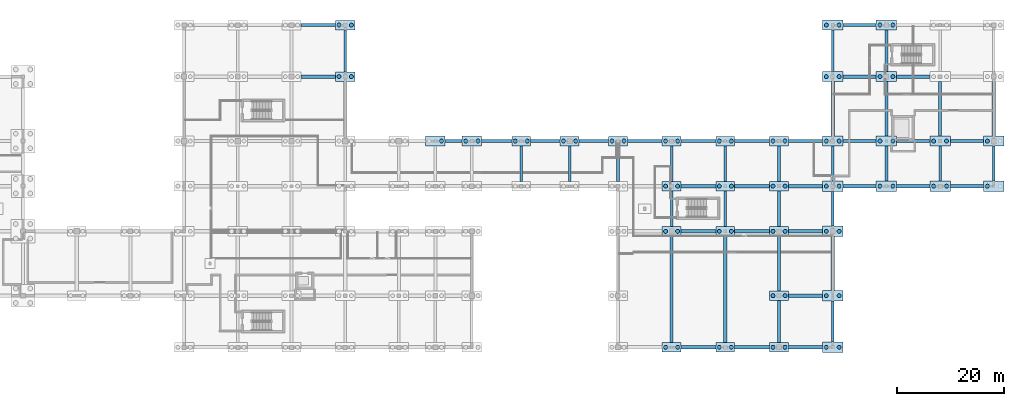
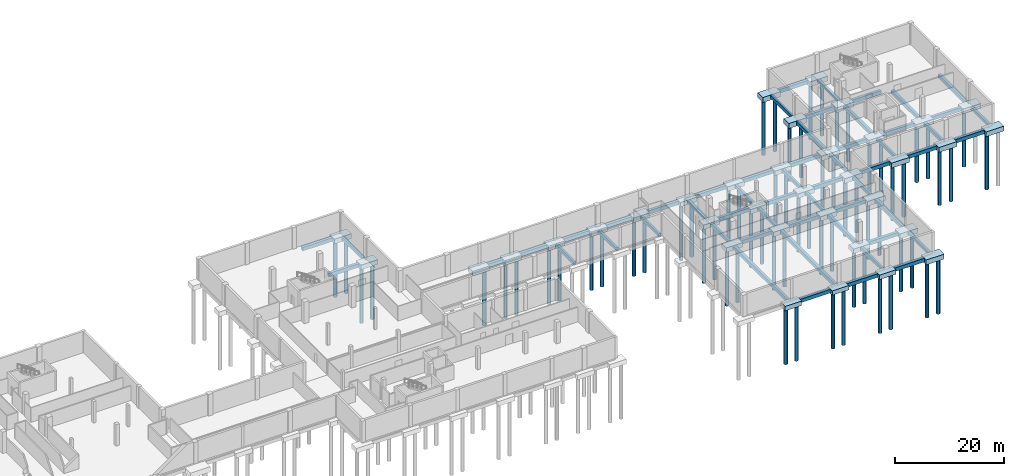
# One storey, part 6 of 28: 91 footings, 67 piles.
"""IFC4 building model written with IfcOpenShell, lengths in metres."""

import ifcopenshell
import ifcopenshell.guid

model = None  # the IFC model being written
_history = None  # IfcOwnerHistory: only IFC2X3 demands one
_inside = {}  # id of a spatial element -> (the spatial element, [elements in it])
_under = {}  # id of a project, library or spatial element -> (it, [spatial elements below it])
_declared = {}  # id of a project -> (the project, [libraries it declares])
_typed = {}  # id of a type object -> (the type object, [elements of that type])
_made_of = {}  # id of a material, layer set ... -> (it, [elements and type objects made of it])


def new_model(schema):
    """Start an empty IFC model of exactly this schema.

    Asked for "IFC4X3", IfcOpenShell would pick the latest addendum, in which some entities
    have other attributes; the version numbers below select the first issue.
    IFC2X3 requires an IfcOwnerHistory on every rooted entity: one is made here for all.
    """
    global model, _history
    if schema == "IFC4X3":
        model = ifcopenshell.file(schema_version=(4, 3, 0, 0))
    else:
        model = ifcopenshell.file(schema=schema)
    _inside.clear()
    _under.clear()
    _declared.clear()
    _typed.clear()
    _made_of.clear()
    _history = None
    if model.schema == "IFC2X3":
        org = make("IfcOrganization", Name="unknown")
        user = make(
            "IfcPersonAndOrganization",
            ThePerson=make("IfcPerson", FamilyName="unknown"),
            TheOrganization=org,
        )
        app = make(
            "IfcApplication",
            ApplicationDeveloper=org,
            Version="unknown",
            ApplicationFullName="unknown",
            ApplicationIdentifier="unknown",
        )
        _history = make(
            "IfcOwnerHistory",
            OwningUser=user,
            OwningApplication=app,
            ChangeAction="ADDED",
            CreationDate=0,
        )
    return model


def make(cls, **values):
    """One entity of the class cls with the attributes given. An attribute that is None is left unset."""
    return model.create_entity(
        cls, **{name: value for name, value in values.items() if value is not None}
    )


def rooted(cls, **values):
    """An entity with a GlobalId (a new one), such as an element, a storey or a relation."""
    return make(cls, GlobalId=ifcopenshell.guid.new(), OwnerHistory=_history, **values)


def si_unit(unit_type, name, prefix=None):
    """IfcSIUnit, for example si_unit("LENGTHUNIT", "METRE", prefix="MILLI")."""
    return make("IfcSIUnit", UnitType=unit_type, Prefix=prefix, Name=name)


def assignment(units):
    """IfcUnitAssignment: the units of a project."""
    return None if units is None else make("IfcUnitAssignment", Units=units)


def point(xyz):
    """IfcCartesianPoint."""
    return None if xyz is None else make("IfcCartesianPoint", Coordinates=xyz)


def direction(xyz):
    """IfcDirection."""
    return None if xyz is None else make("IfcDirection", DirectionRatios=xyz)


def frame(location, z_axis=None, x_axis=None):
    """IfcAxis2Placement3D, a coordinate frame: its origin and axes. An axis left out is left unset."""
    return make(
        "IfcAxis2Placement3D",
        Location=point(location),
        Axis=direction(z_axis),
        RefDirection=direction(x_axis),
    )


def frame_2d(location, x_axis=None):
    """IfcAxis2Placement2D, a coordinate frame in the plane: its origin and x axis."""
    return make(
        "IfcAxis2Placement2D", Location=point(location), RefDirection=direction(x_axis)
    )


def origin():
    """The frame at (0, 0, 0) with its axes left unset."""
    return frame((0.0, 0.0, 0.0))


def origin_2d():
    """The frame at (0, 0) in the plane with its x axis left unset."""
    return frame_2d((0.0, 0.0))


def place(relative_to, where):
    """IfcLocalPlacement: puts the frame where relative to a parent placement (None: the world)."""
    return make(
        "IfcLocalPlacement", PlacementRelTo=relative_to, RelativePlacement=where
    )


def context(
    kind, dimensions, precision=None, world=None, true_north=None, identifier=None
):
    """IfcGeometricRepresentationContext, for example the 3D "Model" context."""
    return make(
        "IfcGeometricRepresentationContext",
        ContextIdentifier=identifier,
        ContextType=kind,
        CoordinateSpaceDimension=dimensions,
        Precision=precision,
        WorldCoordinateSystem=world,
        TrueNorth=true_north,
    )


def subcontext(parent, identifier, kind, view, scale=None):
    """IfcGeometricRepresentationSubContext, for example "Body" below "Model"."""
    return make(
        "IfcGeometricRepresentationSubContext",
        ContextIdentifier=identifier,
        ContextType=kind,
        ParentContext=parent,
        TargetScale=scale,
        TargetView=view,
    )


def project(units=None, contexts=None):
    """IfcProject with its units and contexts."""
    return rooted(
        "IfcProject",
        Name="project",
        RepresentationContexts=contexts,
        UnitsInContext=assignment(units),
    )


def spatial(cls, under=None, at=None, **own):
    """A site, building, storey or space (cls), placed at a placement, below another one or the project."""
    s = rooted(cls, ObjectPlacement=at, **own)
    if under is not None:
        _under.setdefault(under.id(), (under, []))[1].append(s)
    return s


def profile(cls, at=None, kind="AREA", **sizes):
    """A parametric profile (cls). Its sizes go by their IFC names, for example OverallWidth=200.0."""
    return make(cls, ProfileType=kind, Position=at, **sizes)


def rectangle(**sizes):
    """IfcRectangleProfileDef."""
    return profile("IfcRectangleProfileDef", **sizes)


def circle(**sizes):
    """IfcCircleProfileDef."""
    return profile("IfcCircleProfileDef", **sizes)


def extrude(swept, where, along, depth):
    """IfcExtrudedAreaSolid: the profile swept, set in the frame where, extruded along a direction by depth."""
    return make(
        "IfcExtrudedAreaSolid",
        SweptArea=swept,
        Position=where,
        ExtrudedDirection=direction(along),
        Depth=depth,
    )


def shape(context_of_items, identifier, shape_type, items):
    """IfcShapeRepresentation: the items that make up one representation, for example the "Body"."""
    return make(
        "IfcShapeRepresentation",
        ContextOfItems=context_of_items,
        RepresentationIdentifier=identifier,
        RepresentationType=shape_type,
        Items=items,
    )


def material(Name=None, Category=None):
    """IfcMaterial."""
    return make("IfcMaterial", Name=Name, Category=Category)


def layer(
    of_material, thickness, ventilated=None, Name=None, Category=None, Priority=None
):
    """IfcMaterialLayer: one layer of a wall or slab, of a material (None: an air gap)."""
    return make(
        "IfcMaterialLayer",
        Material=of_material,
        LayerThickness=thickness,
        IsVentilated=ventilated,
        Name=Name,
        Category=Category,
        Priority=Priority,
    )


def layer_set(layers, Name=None):
    """IfcMaterialLayerSet."""
    return make("IfcMaterialLayerSet", MaterialLayers=layers, LayerSetName=Name)


def material_profile(
    of_material, cross_section, Name=None, Category=None, Priority=None
):
    """IfcMaterialProfile: a cross section and its material."""
    return make(
        "IfcMaterialProfile",
        Name=Name,
        Material=of_material,
        Profile=cross_section,
        Priority=Priority,
        Category=Category,
    )


def profile_set(profiles, Name=None, composite=None):
    """IfcMaterialProfileSet."""
    return make(
        "IfcMaterialProfileSet",
        Name=Name,
        MaterialProfiles=profiles,
        CompositeProfile=composite,
    )


def made_of(thing, what):
    """Note that an element or type object is made of a material, layer set ...; save() writes the relation."""
    if what is not None:
        _made_of.setdefault(what.id(), (what, []))[1].append(thing)
    return thing


def type_object(cls, material=None, **own):
    """A type object (cls), such as IfcWallType, which elements share."""
    return made_of(rooted(cls, **own), material)


def element(
    cls,
    number,
    at=None,
    inside=None,
    cuts=None,
    type_object=None,
    material=None,
    context=None,
    identifier="Body",
    shape_type=None,
    held_by="IfcProductDefinitionShape",
    body=None,
    shapes=None,
    **own,
):
    """One element of the class cls, such as IfcWall. Its Tag is "e" and its number.

    at: its placement. inside: the storey or other place that contains it. cuts: it is an
    opening in that element (IfcRelVoidsElement). A single representation is given by context,
    identifier, shape_type and body (its items); several are given by shapes. held_by: the class
    of the entity that holds the representations. save() writes the other relations.
    """
    e = rooted(cls, Tag="e%d" % number, ObjectPlacement=at, **own)
    if body is not None:
        shapes = [shape(context, identifier, shape_type, body)]
    if shapes is not None:
        e.Representation = make(held_by, Representations=shapes)
    if inside is not None:
        _inside.setdefault(inside.id(), (inside, []))[1].append(e)
    if cuts is not None:
        rooted(
            "IfcRelVoidsElement", RelatingBuildingElement=cuts, RelatedOpeningElement=e
        )
    if type_object is not None:
        _typed.setdefault(type_object.id(), (type_object, []))[1].append(e)
    return made_of(e, material)


def aggregate(whole, parts):
    """IfcRelAggregates: a whole, such as a stair, and the parts it consists of."""
    return rooted("IfcRelAggregates", RelatingObject=whole, RelatedObjects=parts)


def save(model, path):
    """Write the relations noted so far, then the file.

    IfcRelAggregates (storeys below a building ...), IfcRelContainedInSpatialStructure (elements
    in a storey), IfcRelDefinesByType, IfcRelAssociatesMaterial and IfcRelDeclares: one each for
    every whole, place, type object, material and project.
    """
    for whole, parts in _under.values():
        aggregate(whole, parts)
    for where, things in _inside.values():
        rooted(
            "IfcRelContainedInSpatialStructure",
            RelatedElements=things,
            RelatingStructure=where,
        )
    for kind, things in _typed.values():
        rooted("IfcRelDefinesByType", RelatedObjects=things, RelatingType=kind)
    for what, things in _made_of.values():
        rooted("IfcRelAssociatesMaterial", RelatedObjects=things, RelatingMaterial=what)
    for by, libraries in _declared.values():
        rooted("IfcRelDeclares", RelatingContext=by, RelatedDefinitions=libraries)
    model.write(path)


model = new_model("IFC4")

# Units and contexts
model_context = context("Model", 3, precision=1e-05, world=origin(), true_north=direction((0.0, 1.0)))
body_context = subcontext(model_context, "Body", "Model", "MODEL_VIEW")
ifc_project = project(units=[si_unit("LENGTHUNIT", "METRE"), si_unit("AREAUNIT", "SQUARE_METRE"), si_unit("VOLUMEUNIT", "CUBIC_METRE"), si_unit("PLANEANGLEUNIT", "RADIAN"), si_unit("MASSUNIT", "GRAM", prefix="KILO")], contexts=[model_context])

# Site, building, storey
site_placement = place(None, origin())
site = spatial("IfcSite", under=ifc_project, at=site_placement, CompositionType="ELEMENT")
building_placement = place(site_placement, origin())
building = spatial("IfcBuilding", under=site, at=building_placement, Name="Zereglee Splitstone Museum", CompositionType="ELEMENT")
storey_placement = place(building_placement, frame((0.0, 0.0, -4.800048828125)))
storey = spatial("IfcBuildingStorey", under=building, at=storey_placement, Name="B1", CompositionType="ELEMENT", Elevation=-4.800048828125)

# Footings
ifc_material = material(Name="Concrete C40/50", Category="concrete")
footing_type_1 = type_object("IfcFootingType", Name="FB-03", PredefinedType="FOOTING_BEAM", material=ifc_material)
footing_1_placement = place(storey_placement, frame((205.199951171875, 55.199951171875, -1.14990234375), z_axis=(0.0, 0.0, 1.0), x_axis=(0.0, 1.0, 0.0)))
element("IfcFooting", 1, at=footing_1_placement, inside=storey, type_object=footing_type_1, Name="Ground Tie Beam FBY-216", PredefinedType="FOOTING_BEAM", context=body_context, shape_type="SweptSolid", body=[
    extrude(rectangle(XDim=7.800048828125, YDim=0.5, at=origin_2d()), origin(), (0.0, 0.0, 1.0), 0.699951171875),
])
for number, where, z_axis, x_axis, name in (
    (2, (238.0, 34.199951171875, -1.14990234375), (0.0, 0.0, 1.0), (0.0, 1.0, 0.0), "Ground Tie Beam FBY-226"),
    (3, (247.0, 34.199951171875, -1.14990234375), (0.0, 0.0, 1.0), (0.0, 1.0, 0.0), "Ground Tie Beam FBY-227"),
    (4, (256.0, 34.199951171875, -1.14990234375), (0.0, 0.0, 1.0), (0.0, 1.0, 0.0), "Ground Tie Beam FBY-231"),
    (5, (266.0, 25.800048828125, -1.14990234375), (0.0, 0.0, 1.0), (0.0, 1.0, 0.0), "Ground Tie Beam FBY-233"),
    (6, (266.0, 34.199951171875, -1.14990234375), (0.0, 0.0, 1.0), (0.0, 1.0, 0.0), "Ground Tie Beam FBY-234"),
    (7, (276.0, 25.800048828125, -1.14990234375), (0.0, 0.0, 1.0), (0.0, 1.0, 0.0), "Ground Tie Beam FBY-236"),
    (8, (276.0, 34.199951171875, -1.14990234375), (0.0, 0.0, 1.0), (0.0, 1.0, 0.0), "Ground Tie Beam FBY-237"),
):
    element("IfcFooting", number, at=place(storey_placement, frame(where, z_axis=z_axis, x_axis=x_axis)), inside=storey, type_object=footing_type_1, Name=name, PredefinedType="FOOTING_BEAM", context=body_context, shape_type="SweptSolid", body=[
        extrude(rectangle(XDim=6.64990234375, YDim=0.5, at=origin_2d()), origin(), (0.0, 0.0, 1.0), 0.699951171875),
    ])
footing_2_placement = place(storey_placement, frame((286.0, 4.800048828125, -1.14990234375), z_axis=(0.0, 0.0, 1.0), x_axis=(0.0, 1.0, 0.0)))
element("IfcFooting", 9, at=footing_2_placement, inside=storey, type_object=footing_type_1, Name="Ground Tie Beam FBY-238", PredefinedType="FOOTING_BEAM", context=body_context, shape_type="SweptSolid", body=[
    extrude(rectangle(XDim=7.85009765625, YDim=0.5, at=origin_2d()), origin(), (0.0, 0.0, 1.0), 0.699951171875),
])
for number, where, z_axis, x_axis, name in (
    (10, (286.0, 25.800048828125, -1.14990234375), (0.0, 0.0, 1.0), (0.0, 1.0, 0.0), "Ground Tie Beam FBY-240"),
    (11, (286.0, 34.199951171875, -1.14990234375), (0.0, 0.0, 1.0), (0.0, 1.0, 0.0), "Ground Tie Beam FBY-241"),
):
    element("IfcFooting", number, at=place(storey_placement, frame(where, z_axis=z_axis, x_axis=x_axis)), inside=storey, type_object=footing_type_1, Name=name, PredefinedType="FOOTING_BEAM", context=body_context, shape_type="SweptSolid", body=[
        extrude(rectangle(XDim=6.64990234375, YDim=0.5, at=origin_2d()), origin(), (0.0, 0.0, 1.0), 0.699951171875),
    ])
footing_3_placement = place(storey_placement, frame((296.0, 4.800048828125, -1.14990234375), z_axis=(0.0, 0.0, 1.0), x_axis=(0.0, 1.0, 0.0)))
element("IfcFooting", 12, at=footing_3_placement, inside=storey, type_object=footing_type_1, Name="Ground Tie Beam FBY-242", PredefinedType="FOOTING_BEAM", context=body_context, shape_type="SweptSolid", body=[
    extrude(rectangle(XDim=7.699951171875, YDim=0.5, at=origin_2d()), origin(), (0.0, 0.0, 1.0), 0.699951171875),
])
for number, where, z_axis, x_axis, name in (
    (13, (296.0, 25.800048828125, -1.14990234375), (0.0, 0.0, 1.0), (0.0, 1.0, 0.0), "Ground Tie Beam FBY-244"),
    (14, (296.0, 34.199951171875, -1.14990234375), (0.0, 0.0, 1.0), (0.0, 1.0, 0.0), "Ground Tie Beam FBY-245"),
):
    element("IfcFooting", number, at=place(storey_placement, frame(where, z_axis=z_axis, x_axis=x_axis)), inside=storey, type_object=footing_type_1, Name=name, PredefinedType="FOOTING_BEAM", context=body_context, shape_type="SweptSolid", body=[
        extrude(rectangle(XDim=6.5, YDim=0.5, at=origin_2d()), origin(), (0.0, 0.0, 1.0), 0.699951171875),
    ])
footing_4_placement = place(storey_placement, frame((296.0, 55.199951171875, -1.14990234375), z_axis=(0.0, 0.0, 1.0), x_axis=(0.0, 1.0, 0.0)))
element("IfcFooting", 15, at=footing_4_placement, inside=storey, type_object=footing_type_1, Name="Ground Tie Beam FBY-247", PredefinedType="FOOTING_BEAM", context=body_context, shape_type="SweptSolid", body=[
    extrude(rectangle(XDim=7.699951171875, YDim=0.5, at=origin_2d()), origin(), (0.0, 0.0, 1.0), 0.699951171875),
])
footing_5_placement = place(storey_placement, frame((306.0, 34.199951171875, -1.14990234375), z_axis=(0.0, 0.0, 1.0), x_axis=(0.0, 1.0, 0.0)))
element("IfcFooting", 16, at=footing_5_placement, inside=storey, type_object=footing_type_1, Name="Ground Tie Beam FBY-248", PredefinedType="FOOTING_BEAM", context=body_context, shape_type="SweptSolid", body=[
    extrude(rectangle(XDim=6.5, YDim=0.5, at=origin_2d()), origin(), (0.0, 0.0, 1.0), 0.699951171875),
])
footing_6_placement = place(storey_placement, frame((306.0, 55.199951171875, -1.14990234375), z_axis=(0.0, 0.0, 1.0), x_axis=(0.0, 1.0, 0.0)))
element("IfcFooting", 17, at=footing_6_placement, inside=storey, type_object=footing_type_1, Name="Ground Tie Beam FBY-250", PredefinedType="FOOTING_BEAM", context=body_context, shape_type="SweptSolid", body=[
    extrude(rectangle(XDim=7.699951171875, YDim=0.5, at=origin_2d()), origin(), (0.0, 0.0, 1.0), 0.699951171875),
])
for number, where, z_axis, x_axis, name in (
    (18, (316.0, 34.199951171875, -1.14990234375), (0.0, 0.0, 1.0), (0.0, 1.0, 0.0), "Ground Tie Beam FBY-251"),
    (19, (326.0, 34.199951171875, -1.14990234375), (0.0, 0.0, 1.0), (0.0, 1.0, 0.0), "Ground Tie Beam FBY-254"),
):
    element("IfcFooting", number, at=place(storey_placement, frame(where, z_axis=z_axis, x_axis=x_axis)), inside=storey, type_object=footing_type_1, Name=name, PredefinedType="FOOTING_BEAM", context=body_context, shape_type="SweptSolid", body=[
        extrude(rectangle(XDim=6.5, YDim=0.5, at=origin_2d()), origin(), (0.0, 0.0, 1.0), 0.699951171875),
    ])
footing_type_2 = type_object("IfcFootingType", Name="FB-02", PredefinedType="FOOTING_BEAM", material=ifc_material)
for number, where, z_axis, x_axis, name in (
    (20, (271.0, 0.0, -1.25), (0.0, 0.0, 1.0), (1.0, 0.0, 0.0), "Ground Tie Beam FBX-012"),
    (21, (281.0, 0.0, -1.25), (0.0, 0.0, 1.0), (1.0, 0.0, 0.0), "Ground Tie Beam FBX-013"),
):
    element("IfcFooting", number, at=place(storey_placement, frame(where, z_axis=z_axis, x_axis=x_axis)), inside=storey, type_object=footing_type_2, Name=name, PredefinedType="FOOTING_BEAM", context=body_context, shape_type="SweptSolid", body=[
        extrude(rectangle(XDim=6.5, YDim=0.60009765625, at=origin_2d()), origin(), (0.0, 0.0, 1.0), 0.800048828125),
    ])
for number, where, z_axis, x_axis, name in (
    (22, (290.925048828125, 0.0, -1.25), (0.0, 0.0, 1.0), (1.0, 0.0, 0.0), "Ground Tie Beam FBX-014"),
    (23, (290.925048828125, 9.60009765625, -1.25), (0.0, 0.0, 1.0), (1.0, 0.0, 0.0), "Ground Tie Beam FBX-035"),
):
    element("IfcFooting", number, at=place(storey_placement, frame(where, z_axis=z_axis, x_axis=x_axis)), inside=storey, type_object=footing_type_2, Name=name, PredefinedType="FOOTING_BEAM", context=body_context, shape_type="SweptSolid", body=[
        extrude(rectangle(XDim=6.35009765625, YDim=0.60009765625, at=origin_2d()), origin(), (0.0, 0.0, 1.0), 0.800048828125),
    ])
for number, where, z_axis, x_axis, name in (
    (24, (271.0, 21.60009765625, -1.25), (0.0, 0.0, 1.0), (1.0, 0.0, 0.0), "Ground Tie Beam FBX-057"),
    (25, (281.0, 21.60009765625, -1.25), (0.0, 0.0, 1.0), (1.0, 0.0, 0.0), "Ground Tie Beam FBX-058"),
):
    element("IfcFooting", number, at=place(storey_placement, frame(where, z_axis=z_axis, x_axis=x_axis)), inside=storey, type_object=footing_type_2, Name=name, PredefinedType="FOOTING_BEAM", context=body_context, shape_type="SweptSolid", body=[
        extrude(rectangle(XDim=6.5, YDim=0.60009765625, at=origin_2d()), origin(), (0.0, 0.0, 1.0), 0.800048828125),
    ])
footing_7_placement = place(storey_placement, frame((290.925048828125, 21.60009765625, -1.25), z_axis=(0.0, 0.0, 1.0), x_axis=(1.0, 0.0, 0.0)))
element("IfcFooting", 26, at=footing_7_placement, inside=storey, type_object=footing_type_2, Name="Ground Tie Beam FBX-059", PredefinedType="FOOTING_BEAM", context=body_context, shape_type="SweptSolid", body=[
    extrude(rectangle(XDim=6.35009765625, YDim=0.60009765625, at=origin_2d()), origin(), (0.0, 0.0, 1.0), 0.800048828125),
])
for number, where, z_axis, x_axis, name in (
    (27, (271.0, 30.0, -1.25), (0.0, 0.0, 1.0), (1.0, 0.0, 0.0), "Ground Tie Beam FBX-083"),
    (28, (281.0, 30.0, -1.25), (0.0, 0.0, 1.0), (1.0, 0.0, 0.0), "Ground Tie Beam FBX-084"),
):
    element("IfcFooting", number, at=place(storey_placement, frame(where, z_axis=z_axis, x_axis=x_axis)), inside=storey, type_object=footing_type_2, Name=name, PredefinedType="FOOTING_BEAM", context=body_context, shape_type="SweptSolid", body=[
        extrude(rectangle(XDim=6.5, YDim=0.60009765625, at=origin_2d()), origin(), (0.0, 0.0, 1.0), 0.800048828125),
    ])
footing_8_placement = place(storey_placement, frame((290.925048828125, 30.0, -1.25), z_axis=(0.0, 0.0, 1.0), x_axis=(1.0, 0.0, 0.0)))
element("IfcFooting", 29, at=footing_8_placement, inside=storey, type_object=footing_type_2, Name="Ground Tie Beam FBX-085", PredefinedType="FOOTING_BEAM", context=body_context, shape_type="SweptSolid", body=[
    extrude(rectangle(XDim=6.35009765625, YDim=0.60009765625, at=origin_2d()), origin(), (0.0, 0.0, 1.0), 0.800048828125),
])
for number, where, z_axis, x_axis, name in (
    (30, (301.0, 30.0, -1.25), (0.0, 0.0, 1.0), (1.0, 0.0, 0.0), "Ground Tie Beam FBX-086"),
    (31, (311.0, 30.0, -1.25), (0.0, 0.0, 1.0), (1.0, 0.0, 0.0), "Ground Tie Beam FBX-087"),
    (32, (321.0, 30.0, -1.25), (0.0, 0.0, 1.0), (1.0, 0.0, 0.0), "Ground Tie Beam FBX-088"),
):
    element("IfcFooting", number, at=place(storey_placement, frame(where, z_axis=z_axis, x_axis=x_axis)), inside=storey, type_object=footing_type_2, Name=name, PredefinedType="FOOTING_BEAM", context=body_context, shape_type="SweptSolid", body=[
        extrude(rectangle(XDim=6.199951171875, YDim=0.60009765625, at=origin_2d()), origin(), (0.0, 0.0, 1.0), 0.800048828125),
    ])
footing_9_placement = place(storey_placement, frame((225.39990234375, 38.39990234375, -1.25), z_axis=(0.0, 0.0, 1.0), x_axis=(1.0, 0.0, 0.0)))
element("IfcFooting", 33, at=footing_9_placement, inside=storey, type_object=footing_type_2, Name="Ground Tie Beam FBX-108", PredefinedType="FOOTING_BEAM", context=body_context, shape_type="SweptSolid", body=[
    extrude(rectangle(XDim=3.199951171875, YDim=0.60009765625, at=origin_2d()), origin(), (0.0, 0.0, 1.0), 0.800048828125),
])
footing_10_placement = place(storey_placement, frame((233.425048828125, 38.39990234375, -1.25), z_axis=(0.0, 0.0, 1.0), x_axis=(1.0, 0.0, 0.0)))
element("IfcFooting", 34, at=footing_10_placement, inside=storey, type_object=footing_type_2, Name="Ground Tie Beam FBX-109", PredefinedType="FOOTING_BEAM", context=body_context, shape_type="SweptSolid", body=[
    extrude(rectangle(XDim=5.64990234375, YDim=0.60009765625, at=origin_2d()), origin(), (0.0, 0.0, 1.0), 0.800048828125),
])
for number, where, z_axis, x_axis, name in (
    (35, (242.5, 38.39990234375, -1.25), (0.0, 0.0, 1.0), (1.0, 0.0, 0.0), "Ground Tie Beam FBX-110"),
    (36, (251.5, 38.39990234375, -1.25), (0.0, 0.0, 1.0), (1.0, 0.0, 0.0), "Ground Tie Beam FBX-111"),
):
    element("IfcFooting", number, at=place(storey_placement, frame(where, z_axis=z_axis, x_axis=x_axis)), inside=storey, type_object=footing_type_2, Name=name, PredefinedType="FOOTING_BEAM", context=body_context, shape_type="SweptSolid", body=[
        extrude(rectangle(XDim=5.5, YDim=0.60009765625, at=origin_2d()), origin(), (0.0, 0.0, 1.0), 0.800048828125),
    ])
for number, where, z_axis, x_axis, name in (
    (37, (261.0, 38.39990234375, -1.25), (0.0, 0.0, 1.0), (1.0, 0.0, 0.0), "Ground Tie Beam FBX-112"),
    (38, (271.0, 38.39990234375, -1.25), (0.0, 0.0, 1.0), (1.0, 0.0, 0.0), "Ground Tie Beam FBX-113"),
    (39, (281.0, 38.39990234375, -1.25), (0.0, 0.0, 1.0), (1.0, 0.0, 0.0), "Ground Tie Beam FBX-114"),
):
    element("IfcFooting", number, at=place(storey_placement, frame(where, z_axis=z_axis, x_axis=x_axis)), inside=storey, type_object=footing_type_2, Name=name, PredefinedType="FOOTING_BEAM", context=body_context, shape_type="SweptSolid", body=[
        extrude(rectangle(XDim=6.5, YDim=0.60009765625, at=origin_2d()), origin(), (0.0, 0.0, 1.0), 0.800048828125),
    ])
footing_11_placement = place(storey_placement, frame((290.925048828125, 38.39990234375, -1.25), z_axis=(0.0, 0.0, 1.0), x_axis=(1.0, 0.0, 0.0)))
element("IfcFooting", 40, at=footing_11_placement, inside=storey, type_object=footing_type_2, Name="Ground Tie Beam FBX-115", PredefinedType="FOOTING_BEAM", context=body_context, shape_type="SweptSolid", body=[
    extrude(rectangle(XDim=6.35009765625, YDim=0.60009765625, at=origin_2d()), origin(), (0.0, 0.0, 1.0), 0.800048828125),
])
for number, where, z_axis, x_axis, name in (
    (41, (301.0, 38.39990234375, -1.25), (0.0, 0.0, 1.0), (1.0, 0.0, 0.0), "Ground Tie Beam FBX-116"),
    (42, (311.0, 38.39990234375, -1.25), (0.0, 0.0, 1.0), (1.0, 0.0, 0.0), "Ground Tie Beam FBX-117"),
    (43, (321.0, 38.39990234375, -1.25), (0.0, 0.0, 1.0), (1.0, 0.0, 0.0), "Ground Tie Beam FBX-118"),
):
    element("IfcFooting", number, at=place(storey_placement, frame(where, z_axis=z_axis, x_axis=x_axis)), inside=storey, type_object=footing_type_2, Name=name, PredefinedType="FOOTING_BEAM", context=body_context, shape_type="SweptSolid", body=[
        extrude(rectangle(XDim=6.199951171875, YDim=0.60009765625, at=origin_2d()), origin(), (0.0, 0.0, 1.0), 0.800048828125),
    ])
footing_12_placement = place(storey_placement, frame((200.199951171875, 50.39990234375, -1.25), z_axis=(0.0, 0.0, 1.0), x_axis=(1.0, 0.0, 0.0)))
element("IfcFooting", 44, at=footing_12_placement, inside=storey, type_object=footing_type_2, Name="Ground Tie Beam FBX-128", PredefinedType="FOOTING_BEAM", context=body_context, shape_type="SweptSolid", body=[
    extrude(rectangle(XDim=6.39990234375, YDim=0.60009765625, at=origin_2d()), origin(), (0.0, 0.0, 1.0), 0.800048828125),
])
for number, where, z_axis, x_axis, name in (
    (45, (301.0, 50.39990234375, -1.25), (0.0, 0.0, 1.0), (1.0, 0.0, 0.0), "Ground Tie Beam FBX-129"),
    (46, (311.0, 50.39990234375, -1.25), (0.0, 0.0, 1.0), (1.0, 0.0, 0.0), "Ground Tie Beam FBX-130"),
):
    element("IfcFooting", number, at=place(storey_placement, frame(where, z_axis=z_axis, x_axis=x_axis)), inside=storey, type_object=footing_type_2, Name=name, PredefinedType="FOOTING_BEAM", context=body_context, shape_type="SweptSolid", body=[
        extrude(rectangle(XDim=6.199951171875, YDim=0.60009765625, at=origin_2d()), origin(), (0.0, 0.0, 1.0), 0.800048828125),
    ])
footing_13_placement = place(storey_placement, frame((200.199951171875, 60.0, -1.25), z_axis=(0.0, 0.0, 1.0), x_axis=(1.0, 0.0, 0.0)))
element("IfcFooting", 47, at=footing_13_placement, inside=storey, type_object=footing_type_2, Name="Ground Tie Beam FBX-134", PredefinedType="FOOTING_BEAM", context=body_context, shape_type="SweptSolid", body=[
    extrude(rectangle(XDim=6.39990234375, YDim=0.60009765625, at=origin_2d()), origin(), (0.0, 0.0, 1.0), 0.800048828125),
])
footing_14_placement = place(storey_placement, frame((301.0, 60.0, -1.25), z_axis=(0.0, 0.0, 1.0), x_axis=(1.0, 0.0, 0.0)))
element("IfcFooting", 48, at=footing_14_placement, inside=storey, type_object=footing_type_2, Name="Ground Tie Beam FBX-135", PredefinedType="FOOTING_BEAM", context=body_context, shape_type="SweptSolid", body=[
    extrude(rectangle(XDim=6.199951171875, YDim=0.60009765625, at=origin_2d()), origin(), (0.0, 0.0, 1.0), 0.800048828125),
])
for number, where, z_axis, x_axis, name in (
    (49, (266.0, 10.800048828125, -1.25), (0.0, 0.0, 1.0), (0.0, 1.0, 0.0), "Ground Tie Beam FBY-232"),
    (50, (276.0, 10.800048828125, -1.25), (0.0, 0.0, 1.0), (0.0, 1.0, 0.0), "Ground Tie Beam FBY-235"),
):
    element("IfcFooting", number, at=place(storey_placement, frame(where, z_axis=z_axis, x_axis=x_axis)), inside=storey, type_object=footing_type_2, Name=name, PredefinedType="FOOTING_BEAM", context=body_context, shape_type="SweptSolid", body=[
        extrude(rectangle(XDim=19.85009765625, YDim=0.60009765625, at=origin_2d()), origin(), (0.0, 0.0, 1.0), 0.800048828125),
    ])
footing_15_placement = place(storey_placement, frame((286.0, 15.60009765625, -1.25), z_axis=(0.0, 0.0, 1.0), x_axis=(0.0, 1.0, 0.0)))
element("IfcFooting", 51, at=footing_15_placement, inside=storey, type_object=footing_type_2, Name="Ground Tie Beam FBY-239", PredefinedType="FOOTING_BEAM", context=body_context, shape_type="SweptSolid", body=[
    extrude(rectangle(XDim=10.25, YDim=0.60009765625, at=origin_2d()), origin(), (0.0, 0.0, 1.0), 0.800048828125),
])
for number, where, z_axis, x_axis, name in (
    (52, (296.0, 15.60009765625, -1.25), (0.0, 0.0, 1.0), (0.0, 1.0, 0.0), "Ground Tie Beam FBY-243"),
    (53, (296.0, 44.39990234375, -1.25), (0.0, 0.0, 1.0), (0.0, 1.0, 0.0), "Ground Tie Beam FBY-246"),
    (54, (306.0, 44.39990234375, -1.25), (0.0, 0.0, 1.0), (0.0, 1.0, 0.0), "Ground Tie Beam FBY-249"),
    (55, (316.0, 44.39990234375, -1.25), (0.0, 0.0, 1.0), (0.0, 1.0, 0.0), "Ground Tie Beam FBY-252"),
    (56, (326.0, 44.39990234375, -1.25), (0.0, 0.0, 1.0), (0.0, 1.0, 0.0), "Ground Tie Beam FBY-255"),
):
    element("IfcFooting", number, at=place(storey_placement, frame(where, z_axis=z_axis, x_axis=x_axis)), inside=storey, type_object=footing_type_2, Name=name, PredefinedType="FOOTING_BEAM", context=body_context, shape_type="SweptSolid", body=[
        extrude(rectangle(XDim=10.10009765625, YDim=0.60009765625, at=origin_2d()), origin(), (0.0, 0.0, 1.0), 0.800048828125),
    ])
ifc_layer_1 = layer(ifc_material, 1.0)
ifc_layer_set_1 = layer_set([ifc_layer_1], Name="Concrete C40/50")
footing_type_3 = type_object("IfcFootingType", Name="PC-08", PredefinedType="PILE_CAP", material=ifc_layer_set_1)
for number, where, z_axis, x_axis, name in (
    (57, (238.0, 38.39990234375, -1.449951171875), (0.0, 0.0, 1.0), (1.0, 0.0, 0.0), "Pile Cap at (238.0, 38.4)"),
    (58, (247.0, 38.39990234375, -1.449951171875), (0.0, 0.0, 1.0), (1.0, 0.0, 0.0), "Pile Cap at (247.0, 38.4)"),
    (59, (256.0, 38.39990234375, -1.449951171875), (0.0, 0.0, 1.0), (1.0, 0.0, 0.0), "Pile Cap at (256.0, 38.4)"),
    (60, (266.0, 0.0, -1.449951171875), (0.0, 0.0, 1.0), (1.0, 0.0, 0.0), "Pile Cap at (266.0, 0.0)"),
    (61, (266.0, 21.60009765625, -1.449951171875), (0.0, 0.0, 1.0), (1.0, 0.0, 0.0), "Pile Cap at (266.0, 21.6)"),
    (62, (266.0, 30.0, -1.449951171875), (0.0, 0.0, 1.0), (1.0, 0.0, 0.0), "Pile Cap at (266.0, 30.0)"),
    (63, (266.0, 38.39990234375, -1.449951171875), (0.0, 0.0, 1.0), (1.0, 0.0, 0.0), "Pile Cap at (266.0, 38.4)"),
    (64, (276.0, 0.0, -1.449951171875), (0.0, 0.0, 1.0), (1.0, 0.0, 0.0), "Pile Cap at (276.0, 0.0)"),
    (65, (276.0, 21.60009765625, -1.449951171875), (0.0, 0.0, 1.0), (1.0, 0.0, 0.0), "Pile Cap at (276.0, 21.6)"),
    (66, (276.0, 30.0, -1.449951171875), (0.0, 0.0, 1.0), (1.0, 0.0, 0.0), "Pile Cap at (276.0, 30.0)"),
    (67, (276.0, 38.39990234375, -1.449951171875), (0.0, 0.0, 1.0), (1.0, 0.0, 0.0), "Pile Cap at (276.0, 38.4)"),
    (68, (286.0, 0.0, -1.449951171875), (0.0, 0.0, 1.0), (1.0, 0.0, 0.0), "Pile Cap at (286.0, 0.0)"),
    (69, (286.0, 9.60009765625, -1.449951171875), (0.0, 0.0, 1.0), (1.0, 0.0, 0.0), "Pile Cap at (286.0, 9.6)"),
    (70, (286.0, 21.60009765625, -1.449951171875), (0.0, 0.0, 1.0), (1.0, 0.0, 0.0), "Pile Cap at (286.0, 21.6)"),
    (71, (286.0, 30.0, -1.449951171875), (0.0, 0.0, 1.0), (1.0, 0.0, 0.0), "Pile Cap at (286.0, 30.0)"),
    (72, (286.0, 38.39990234375, -1.449951171875), (0.0, 0.0, 1.0), (1.0, 0.0, 0.0), "Pile Cap at (286.0, 38.4)"),
):
    element("IfcFooting", number, at=place(storey_placement, frame(where, z_axis=z_axis, x_axis=x_axis)), inside=storey, type_object=footing_type_3, Name=name, PredefinedType="PILE_CAP", context=body_context, shape_type="SweptSolid", body=[
        extrude(rectangle(XDim=3.5, YDim=1.75, at=origin_2d()), origin(), (0.0, 0.0, 1.0), 1.0),
    ])
ifc_layer_2 = layer(ifc_material, 1.050048828125)
ifc_layer_set_2 = layer_set([ifc_layer_2], Name="Concrete C40/50")
footing_type_4 = type_object("IfcFootingType", Name="PC-07", PredefinedType="PILE_CAP", material=ifc_layer_set_2)
for number, where, z_axis, x_axis, name in (
    (73, (205.199951171875, 50.39990234375, -1.5), (0.0, 0.0, 1.0), (1.0, 0.0, 0.0), "Pile Cap at (205.2, 50.4)"),
    (74, (205.199951171875, 60.0, -1.5), (0.0, 0.0, 1.0), (1.0, 0.0, 0.0), "Pile Cap at (205.2, 60.0)"),
    (75, (222.0, 38.39990234375, -1.5), (0.0, 0.0, 1.0), (1.0, 0.0, 0.0), "Pile Cap at (222.0, 38.4)"),
    (76, (228.800048828125, 38.39990234375, -1.5), (0.0, 0.0, 1.0), (1.0, 0.0, 0.0), "Pile Cap at (228.8, 38.4)"),
):
    element("IfcFooting", number, at=place(storey_placement, frame(where, z_axis=z_axis, x_axis=x_axis)), inside=storey, type_object=footing_type_4, Name=name, PredefinedType="PILE_CAP", context=body_context, shape_type="SweptSolid", body=[
        extrude(rectangle(XDim=3.60009765625, YDim=1.800048828125, at=origin_2d()), origin(), (0.0, 0.0, 1.0), 1.050048828125),
    ])
ifc_layer_3 = layer(ifc_material, 1.10009765625)
ifc_layer_set_3 = layer_set([ifc_layer_3], Name="Concrete C40/50")
footing_type_5 = type_object("IfcFootingType", Name="PC-06", PredefinedType="PILE_CAP", material=ifc_layer_set_3)
for number, where, z_axis, x_axis, name in (
    (77, (296.0, 0.0, -1.550048828125), (0.0, 0.0, 1.0), (1.0, 0.0, 0.0), "Pile Cap at (296.0, 0.0)"),
    (78, (296.0, 9.60009765625, -1.550048828125), (0.0, 0.0, 1.0), (1.0, 0.0, 0.0), "Pile Cap at (296.0, 9.6)"),
    (79, (296.0, 21.60009765625, -1.550048828125), (0.0, 0.0, 1.0), (1.0, 0.0, 0.0), "Pile Cap at (296.0, 21.6)"),
    (80, (296.0, 30.0, -1.550048828125), (0.0, 0.0, 1.0), (1.0, 0.0, 0.0), "Pile Cap at (296.0, 30.0)"),
    (81, (296.0, 38.39990234375, -1.550048828125), (0.0, 0.0, 1.0), (1.0, 0.0, 0.0), "Pile Cap at (296.0, 38.4)"),
    (82, (296.0, 50.39990234375, -1.550048828125), (0.0, 0.0, 1.0), (1.0, 0.0, 0.0), "Pile Cap at (296.0, 50.4)"),
    (83, (296.0, 60.0, -1.550048828125), (0.0, 0.0, 1.0), (1.0, 0.0, 0.0), "Pile Cap at (296.0, 60.0)"),
    (84, (306.0, 30.0, -1.550048828125), (0.0, 0.0, 1.0), (1.0, 0.0, 0.0), "Pile Cap at (306.0, 30.0)"),
    (85, (306.0, 38.39990234375, -1.550048828125), (0.0, 0.0, 1.0), (1.0, 0.0, 0.0), "Pile Cap at (306.0, 38.4)"),
    (86, (306.0, 50.39990234375, -1.550048828125), (0.0, 0.0, 1.0), (1.0, 0.0, 0.0), "Pile Cap at (306.0, 50.4)"),
    (87, (306.0, 60.0, -1.550048828125), (0.0, 0.0, 1.0), (1.0, 0.0, 0.0), "Pile Cap at (306.0, 60.0)"),
    (88, (316.0, 30.0, -1.550048828125), (0.0, 0.0, 1.0), (1.0, 0.0, 0.0), "Pile Cap at (316.0, 30.0)"),
    (89, (316.0, 38.39990234375, -1.550048828125), (0.0, 0.0, 1.0), (1.0, 0.0, 0.0), "Pile Cap at (316.0, 38.4)"),
    (90, (326.0, 30.0, -1.550048828125), (0.0, 0.0, 1.0), (1.0, 0.0, 0.0), "Pile Cap at (326.0, 30.0)"),
    (91, (326.0, 38.39990234375, -1.550048828125), (0.0, 0.0, 1.0), (1.0, 0.0, 0.0), "Pile Cap at (326.0, 38.4)"),
):
    element("IfcFooting", number, at=place(storey_placement, frame(where, z_axis=z_axis, x_axis=x_axis)), inside=storey, type_object=footing_type_5, Name=name, PredefinedType="PILE_CAP", context=body_context, shape_type="SweptSolid", body=[
        extrude(rectangle(XDim=3.800048828125, YDim=1.89990234375, at=origin_2d()), origin(), (0.0, 0.0, 1.0), 1.10009765625),
    ])

# Piles
ifc_material_profile = material_profile(ifc_material, circle(Radius=0.375, at=origin_2d()), Name="PILE D750")
ifc_profile_set = profile_set([ifc_material_profile], Name="Concrete C40/50")
pile_type = type_object("IfcPileType", Name="PL-D07", PredefinedType="BORED", material=ifc_profile_set)
for number, where, z_axis, x_axis, name in (
    (92, (204.050048828125, 50.39990234375, -1.39990234375), (0.0, 0.0, -1.0), (1.0, 0.0, 0.0), "Bored Pile 2052-504-1"),
    (93, (206.35009765625, 50.39990234375, -1.39990234375), (0.0, 0.0, -1.0), (1.0, 0.0, 0.0), "Bored Pile 2052-504-2"),
    (94, (204.050048828125, 60.0, -1.39990234375), (0.0, 0.0, -1.0), (1.0, 0.0, 0.0), "Bored Pile 2052-600-1"),
    (95, (206.35009765625, 60.0, -1.39990234375), (0.0, 0.0, -1.0), (1.0, 0.0, 0.0), "Bored Pile 2052-600-2"),
    (96, (223.14990234375, 38.39990234375, -1.39990234375), (0.0, 0.0, -1.0), (1.0, 0.0, 0.0), "Bored Pile 2220-384-2"),
    (97, (227.64990234375, 38.39990234375, -1.39990234375), (0.0, 0.0, -1.0), (1.0, 0.0, 0.0), "Bored Pile 2288-384-1"),
    (98, (229.949951171875, 38.39990234375, -1.39990234375), (0.0, 0.0, -1.0), (1.0, 0.0, 0.0), "Bored Pile 2288-384-2"),
):
    element("IfcPile", number, at=place(storey_placement, frame(where, z_axis=z_axis, x_axis=x_axis)), inside=storey, type_object=pile_type, Name=name, PredefinedType="BORED", context=body_context, shape_type="SweptSolid", body=[
        extrude(circle(Radius=0.375, at=origin_2d()), origin(), (0.0, 0.0, 1.0), 12.60009765625),
    ])
for number, where, z_axis, x_axis, name in (
    (99, (236.875, 38.39990234375, -1.349853515625), (0.0, 0.0, -1.0), (1.0, 0.0, 0.0), "Bored Pile 2380-384-1"),
    (100, (239.125, 38.39990234375, -1.349853515625), (0.0, 0.0, -1.0), (1.0, 0.0, 0.0), "Bored Pile 2380-384-2"),
    (101, (245.875, 38.39990234375, -1.349853515625), (0.0, 0.0, -1.0), (1.0, 0.0, 0.0), "Bored Pile 2470-384-1"),
    (102, (248.125, 38.39990234375, -1.349853515625), (0.0, 0.0, -1.0), (1.0, 0.0, 0.0), "Bored Pile 2470-384-2"),
    (103, (254.875, 38.39990234375, -1.349853515625), (0.0, 0.0, -1.0), (1.0, 0.0, 0.0), "Bored Pile 2560-384-1"),
    (104, (257.125, 38.39990234375, -1.349853515625), (0.0, 0.0, -1.0), (1.0, 0.0, 0.0), "Bored Pile 2560-384-2"),
    (105, (264.875, 0.0, -1.349853515625), (0.0, 0.0, -1.0), (1.0, 0.0, 0.0), "Bored Pile 2660-0-1"),
    (106, (267.125, 0.0, -1.349853515625), (0.0, 0.0, -1.0), (1.0, 0.0, 0.0), "Bored Pile 2660-0-2"),
    (107, (264.875, 21.60009765625, -1.349853515625), (0.0, 0.0, -1.0), (1.0, 0.0, 0.0), "Bored Pile 2660-216-1"),
    (108, (267.125, 21.60009765625, -1.349853515625), (0.0, 0.0, -1.0), (1.0, 0.0, 0.0), "Bored Pile 2660-216-2"),
    (109, (264.875, 30.0, -1.349853515625), (0.0, 0.0, -1.0), (1.0, 0.0, 0.0), "Bored Pile 2660-300-1"),
    (110, (267.125, 30.0, -1.349853515625), (0.0, 0.0, -1.0), (1.0, 0.0, 0.0), "Bored Pile 2660-300-2"),
    (111, (264.875, 38.39990234375, -1.349853515625), (0.0, 0.0, -1.0), (1.0, 0.0, 0.0), "Bored Pile 2660-384-1"),
    (112, (267.125, 38.39990234375, -1.349853515625), (0.0, 0.0, -1.0), (1.0, 0.0, 0.0), "Bored Pile 2660-384-2"),
    (113, (274.875, 0.0, -1.349853515625), (0.0, 0.0, -1.0), (1.0, 0.0, 0.0), "Bored Pile 2760-0-1"),
    (114, (277.125, 0.0, -1.349853515625), (0.0, 0.0, -1.0), (1.0, 0.0, 0.0), "Bored Pile 2760-0-2"),
    (115, (274.875, 21.60009765625, -1.349853515625), (0.0, 0.0, -1.0), (1.0, 0.0, 0.0), "Bored Pile 2760-216-1"),
    (116, (277.125, 21.60009765625, -1.349853515625), (0.0, 0.0, -1.0), (1.0, 0.0, 0.0), "Bored Pile 2760-216-2"),
    (117, (274.875, 30.0, -1.349853515625), (0.0, 0.0, -1.0), (1.0, 0.0, 0.0), "Bored Pile 2760-300-1"),
    (118, (277.125, 30.0, -1.349853515625), (0.0, 0.0, -1.0), (1.0, 0.0, 0.0), "Bored Pile 2760-300-2"),
    (119, (274.875, 38.39990234375, -1.349853515625), (0.0, 0.0, -1.0), (1.0, 0.0, 0.0), "Bored Pile 2760-384-1"),
    (120, (277.125, 38.39990234375, -1.349853515625), (0.0, 0.0, -1.0), (1.0, 0.0, 0.0), "Bored Pile 2760-384-2"),
    (121, (284.875, 0.0, -1.349853515625), (0.0, 0.0, -1.0), (1.0, 0.0, 0.0), "Bored Pile 2860-0-1"),
    (122, (287.125, 0.0, -1.349853515625), (0.0, 0.0, -1.0), (1.0, 0.0, 0.0), "Bored Pile 2860-0-2"),
    (123, (284.875, 9.60009765625, -1.349853515625), (0.0, 0.0, -1.0), (1.0, 0.0, 0.0), "Bored Pile 2860-96-1"),
    (124, (287.125, 9.60009765625, -1.349853515625), (0.0, 0.0, -1.0), (1.0, 0.0, 0.0), "Bored Pile 2860-96-2"),
    (125, (284.875, 21.60009765625, -1.349853515625), (0.0, 0.0, -1.0), (1.0, 0.0, 0.0), "Bored Pile 2860-216-1"),
    (126, (287.125, 21.60009765625, -1.349853515625), (0.0, 0.0, -1.0), (1.0, 0.0, 0.0), "Bored Pile 2860-216-2"),
    (127, (284.875, 30.0, -1.349853515625), (0.0, 0.0, -1.0), (1.0, 0.0, 0.0), "Bored Pile 2860-300-1"),
    (128, (287.125, 30.0, -1.349853515625), (0.0, 0.0, -1.0), (1.0, 0.0, 0.0), "Bored Pile 2860-300-2"),
    (129, (284.875, 38.39990234375, -1.349853515625), (0.0, 0.0, -1.0), (1.0, 0.0, 0.0), "Bored Pile 2860-384-1"),
    (130, (287.125, 38.39990234375, -1.349853515625), (0.0, 0.0, -1.0), (1.0, 0.0, 0.0), "Bored Pile 2860-384-2"),
):
    element("IfcPile", number, at=place(storey_placement, frame(where, z_axis=z_axis, x_axis=x_axis)), inside=storey, type_object=pile_type, Name=name, PredefinedType="BORED", context=body_context, shape_type="SweptSolid", body=[
        extrude(circle(Radius=0.375, at=origin_2d()), origin(), (0.0, 0.0, 1.0), 12.64990234375),
    ])
for number, where, z_axis, x_axis, name in (
    (131, (294.800048828125, 0.0, -1.449951171875), (0.0, 0.0, -1.0), (1.0, 0.0, 0.0), "Bored Pile 2960-0-1"),
    (132, (297.199951171875, 0.0, -1.449951171875), (0.0, 0.0, -1.0), (1.0, 0.0, 0.0), "Bored Pile 2960-0-2"),
    (133, (294.800048828125, 9.60009765625, -1.449951171875), (0.0, 0.0, -1.0), (1.0, 0.0, 0.0), "Bored Pile 2960-96-1"),
    (134, (297.199951171875, 9.60009765625, -1.449951171875), (0.0, 0.0, -1.0), (1.0, 0.0, 0.0), "Bored Pile 2960-96-2"),
    (135, (294.800048828125, 21.60009765625, -1.449951171875), (0.0, 0.0, -1.0), (1.0, 0.0, 0.0), "Bored Pile 2960-216-1"),
    (136, (297.199951171875, 21.60009765625, -1.449951171875), (0.0, 0.0, -1.0), (1.0, 0.0, 0.0), "Bored Pile 2960-216-2"),
    (137, (294.800048828125, 30.0, -1.449951171875), (0.0, 0.0, -1.0), (1.0, 0.0, 0.0), "Bored Pile 2960-300-1"),
    (138, (297.199951171875, 30.0, -1.449951171875), (0.0, 0.0, -1.0), (1.0, 0.0, 0.0), "Bored Pile 2960-300-2"),
    (139, (294.800048828125, 38.39990234375, -1.449951171875), (0.0, 0.0, -1.0), (1.0, 0.0, 0.0), "Bored Pile 2960-384-1"),
    (140, (297.199951171875, 38.39990234375, -1.449951171875), (0.0, 0.0, -1.0), (1.0, 0.0, 0.0), "Bored Pile 2960-384-2"),
    (141, (294.800048828125, 50.39990234375, -1.449951171875), (0.0, 0.0, -1.0), (1.0, 0.0, 0.0), "Bored Pile 2960-504-1"),
    (142, (297.199951171875, 50.39990234375, -1.449951171875), (0.0, 0.0, -1.0), (1.0, 0.0, 0.0), "Bored Pile 2960-504-2"),
    (143, (294.800048828125, 60.0, -1.449951171875), (0.0, 0.0, -1.0), (1.0, 0.0, 0.0), "Bored Pile 2960-600-1"),
    (144, (297.199951171875, 60.0, -1.449951171875), (0.0, 0.0, -1.0), (1.0, 0.0, 0.0), "Bored Pile 2960-600-2"),
    (145, (304.800048828125, 30.0, -1.449951171875), (0.0, 0.0, -1.0), (1.0, 0.0, 0.0), "Bored Pile 3060-300-1"),
    (146, (307.199951171875, 30.0, -1.449951171875), (0.0, 0.0, -1.0), (1.0, 0.0, 0.0), "Bored Pile 3060-300-2"),
    (147, (304.800048828125, 38.39990234375, -1.449951171875), (0.0, 0.0, -1.0), (1.0, 0.0, 0.0), "Bored Pile 3060-384-1"),
    (148, (307.199951171875, 38.39990234375, -1.449951171875), (0.0, 0.0, -1.0), (1.0, 0.0, 0.0), "Bored Pile 3060-384-2"),
    (149, (304.800048828125, 50.39990234375, -1.449951171875), (0.0, 0.0, -1.0), (1.0, 0.0, 0.0), "Bored Pile 3060-504-1"),
    (150, (307.199951171875, 50.39990234375, -1.449951171875), (0.0, 0.0, -1.0), (1.0, 0.0, 0.0), "Bored Pile 3060-504-2"),
    (151, (304.800048828125, 60.0, -1.449951171875), (0.0, 0.0, -1.0), (1.0, 0.0, 0.0), "Bored Pile 3060-600-1"),
    (152, (307.199951171875, 60.0, -1.449951171875), (0.0, 0.0, -1.0), (1.0, 0.0, 0.0), "Bored Pile 3060-600-2"),
    (153, (314.800048828125, 30.0, -1.449951171875), (0.0, 0.0, -1.0), (1.0, 0.0, 0.0), "Bored Pile 3160-300-1"),
    (154, (317.199951171875, 30.0, -1.449951171875), (0.0, 0.0, -1.0), (1.0, 0.0, 0.0), "Bored Pile 3160-300-2"),
    (155, (314.800048828125, 38.39990234375, -1.449951171875), (0.0, 0.0, -1.0), (1.0, 0.0, 0.0), "Bored Pile 3160-384-1"),
    (156, (317.199951171875, 38.39990234375, -1.449951171875), (0.0, 0.0, -1.0), (1.0, 0.0, 0.0), "Bored Pile 3160-384-2"),
    (157, (324.800048828125, 30.0, -1.449951171875), (0.0, 0.0, -1.0), (1.0, 0.0, 0.0), "Bored Pile 3260-300-1"),
    (158, (324.800048828125, 38.39990234375, -1.449951171875), (0.0, 0.0, -1.0), (1.0, 0.0, 0.0), "Bored Pile 3260-384-1"),
):
    element("IfcPile", number, at=place(storey_placement, frame(where, z_axis=z_axis, x_axis=x_axis)), inside=storey, type_object=pile_type, Name=name, PredefinedType="BORED", context=body_context, shape_type="SweptSolid", body=[
        extrude(circle(Radius=0.375, at=origin_2d()), origin(), (0.0, 0.0, 1.0), 12.550048828125),
    ])

save(model, "model.ifc")
